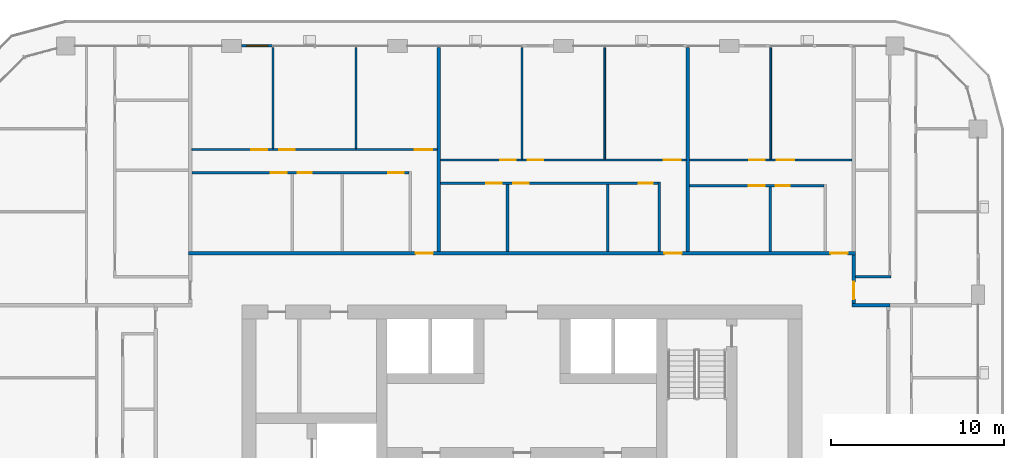
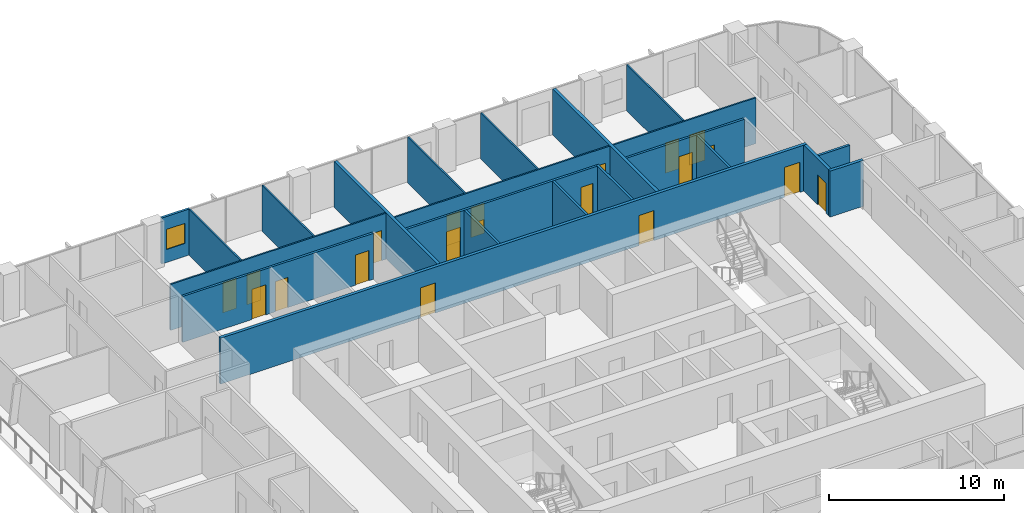
# One storey, part 14 of 22: 22 walls, 20 doors, 1 window, 21 openings.
"""IFC4 building model written with IfcOpenShell, lengths in metres."""

from ifc_helpers import new_model, si_unit, direction, frame, frame_2d, origin, place, context, subcontext, project, spatial, rectangle, extrude, material, layer, layer_set, type_object, element, fill, save


model = new_model("IFC4")

# Units and contexts
model_context = context("Model", 3, precision=1e-05, world=origin(), true_north=direction((0.0, 1.0)))
body_context = subcontext(model_context, "Body", "Model", "MODEL_VIEW")
ifc_project = project(units=[si_unit("LENGTHUNIT", "METRE"), si_unit("AREAUNIT", "SQUARE_METRE"), si_unit("VOLUMEUNIT", "CUBIC_METRE"), si_unit("PLANEANGLEUNIT", "RADIAN"), si_unit("MASSUNIT", "GRAM", prefix="KILO")], contexts=[model_context])

# Site, building, storey
site_placement = place(None, origin())
site = spatial("IfcSite", under=ifc_project, at=site_placement, CompositionType="ELEMENT")
building_placement = place(site_placement, origin())
building = spatial("IfcBuilding", under=site, at=building_placement, Name="Madar Terraces", CompositionType="ELEMENT")
storey_placement = place(building_placement, frame((0.0, 0.0, 122.60009765625)))
storey = spatial("IfcBuildingStorey", under=building, at=storey_placement, Name="L31", CompositionType="ELEMENT", Elevation=122.60009765625)

# Wall, opening, window
ifc_material_1 = material(Name="Aluminium composite panel, black, over insulated backing", Category="aluminium")
ifc_layer_1 = layer(ifc_material_1, 0.14990234375)
ifc_layer_set_1 = layer_set([ifc_layer_1], Name="Facade bay panel 150")
wall_type_1 = type_object("IfcWallType", Name="Facade bay panel 150", PredefinedType="SOLIDWALL", material=ifc_layer_set_1)
wall_1_placement = place(storey_placement, frame((16.800048828125, 52.800048828125, 0.0), z_axis=(0.0, 0.0, 1.0), x_axis=(-1.0, 0.0, 0.0)))
wall_1 = element("IfcWall", 1, at=wall_1_placement, inside=storey, type_object=wall_type_1, Name="Facade bay panel", PredefinedType="SOLIDWALL", context=body_context, shape_type="SweptSolid", body=[
    extrude(rectangle(XDim=1.824951171875, YDim=0.14990234375, at=frame_2d((0.91259765625, 0.0))), origin(), (0.0, 0.0, 1.0), 3.199951171875),
])
opening_1_placement = place(wall_1_placement, frame((0.3125, 0.0, 0.89990234375)))
opening_1 = element("IfcOpeningElement", 2, at=opening_1_placement, cuts=wall_1, Name="Opening W1", PredefinedType="OPENING", context=body_context, shape_type="SweptSolid", body=[
    extrude(rectangle(XDim=1.199951171875, YDim=1.39990234375, at=frame_2d((0.60009765625, 0.699951171875))), frame((0.0, 0.0849609375, 0.0), z_axis=(0.0, -1.0, 0.0), x_axis=(1.0, 0.0, 0.0)), (0.0, 0.0, 1.0), 0.169921875),
])
ifc_material_2 = material(Name="Glass, clear, with black aluminium frame", Category="aluminium")
window_type = type_object("IfcWindowType", Name="Vent window 1200 x 1400", PartitioningType="SINGLE_PANEL", PredefinedType="WINDOW", material=ifc_material_2)
window_placement = place(opening_1_placement, origin())
window = element("IfcWindow", 3, at=window_placement, inside=storey, type_object=window_type, Name="Operable vent window", OverallHeight=1.39990234375, OverallWidth=1.199951171875, PartitioningType="SINGLE_PANEL", PredefinedType="WINDOW", context=body_context, shape_type="SweptSolid", body=[
    extrude(rectangle(XDim=1.199951171875, YDim=1.39990234375, at=frame_2d((0.60009765625, 0.699951171875))), frame((0.0, 0.030029296875, 0.0), z_axis=(0.0, -1.0, 0.0), x_axis=(1.0, 0.0, 0.0)), (0.0, 0.0, 1.0), 0.06005859375),
])
fill(opening_1, window)

# Wall
ifc_material_3 = material(Name="Gypsum board on steel studs", Category="steel")
ifc_layer_2 = layer(ifc_material_3, 0.10009765625)
ifc_layer_set_2 = layer_set([ifc_layer_2], Name="Flat partition 100")
wall_type_2 = type_object("IfcWallType", Name="Flat partition 100", PredefinedType="PARTITIONING", material=ifc_layer_set_2)
wall_2_placement = place(storey_placement, frame((45.60009765625, 46.25, 0.0), z_axis=(0.0, 0.0, 1.0), x_axis=(0.0, 1.0, 0.0)))
element("IfcWall", 4, at=wall_2_placement, inside=storey, type_object=wall_type_2, Name="Flat partition 100", PredefinedType="PARTITIONING", context=body_context, shape_type="SweptSolid", body=[
    extrude(rectangle(XDim=6.449951171875, YDim=0.10009765625, at=frame_2d((3.22509765625, 0.0))), origin(), (0.0, 0.0, 1.0), 3.199951171875),
])

# Wall, openings, doors
wall_3_placement = place(storey_placement, frame((40.89990234375, 46.199951171875, 0.0), z_axis=(0.0, 0.0, 1.0), x_axis=(1.0, 0.0, 0.0)))
wall_3 = element("IfcWall", 5, at=wall_3_placement, inside=storey, type_object=wall_type_2, Name="Flat partition 100", PredefinedType="PARTITIONING", context=body_context, shape_type="SweptSolid", body=[
    extrude(rectangle(XDim=9.400146484375, YDim=0.10009765625, at=frame_2d((4.7001953125, 0.0))), origin(), (0.0, 0.0, 1.0), 3.199951171875),
])
opening_2_placement = place(wall_3_placement, frame((5.050048828125, 0.0, 0.0)))
opening_2 = element("IfcOpeningElement", 6, at=opening_2_placement, cuts=wall_3, Name="Opening D3", PredefinedType="OPENING", context=body_context, shape_type="SweptSolid", body=[
    extrude(rectangle(XDim=1.0, YDim=2.10009765625, at=frame_2d((0.5, 1.050048828125))), frame((0.0, 0.06005859375, 0.0), z_axis=(0.0, -1.0, 0.0), x_axis=(1.0, 0.0, 0.0)), (0.0, 0.0, 1.0), 0.1201171875),
])
opening_3_placement = place(wall_3_placement, frame((3.449951171875, 0.0, 0.0)))
opening_3 = element("IfcOpeningElement", 7, at=opening_3_placement, cuts=wall_3, Name="Opening D2", PredefinedType="OPENING", context=body_context, shape_type="SweptSolid", body=[
    extrude(rectangle(XDim=0.89990234375, YDim=2.10009765625, at=frame_2d((0.449951171875, 1.050048828125))), frame((0.0, 0.06005859375, 0.0), z_axis=(0.0, -1.0, 0.0), x_axis=(1.0, 0.0, 0.0)), (0.0, 0.0, 1.0), 0.1201171875),
])
ifc_material_4 = material(Name="Timber door leaf", Category="wood")
door_type_1 = type_object("IfcDoorType", Name="Flat living room door 1000", OperationType="NOTDEFINED", PredefinedType="DOOR", material=ifc_material_4)
door_1_placement = place(opening_2_placement, origin())
door_1 = element("IfcDoor", 8, at=door_1_placement, inside=storey, type_object=door_type_1, Name="Flat living room door 1000", OperationType="SINGLE_SWING_LEFT", OverallHeight=2.10009765625, OverallWidth=1.0, PredefinedType="DOOR", context=body_context, shape_type="SweptSolid", body=[
    extrude(rectangle(XDim=1.0, YDim=2.10009765625, at=frame_2d((0.5, 1.050048828125))), frame((0.0, 0.02490234375, 0.0), z_axis=(0.0, -1.0, 0.0), x_axis=(1.0, 0.0, 0.0)), (0.0, 0.0, 1.0), 0.050048828125),
])
fill(opening_2, door_1)
ifc_material_5 = material(Name="Timber door leaf", Category="wood")
door_type_2 = type_object("IfcDoorType", Name="Flat room door 900", OperationType="NOTDEFINED", PredefinedType="DOOR", material=ifc_material_5)
door_2_placement = place(opening_3_placement, origin())
door_2 = element("IfcDoor", 9, at=door_2_placement, inside=storey, type_object=door_type_2, Name="Flat room door 900", OperationType="SINGLE_SWING_RIGHT", OverallHeight=2.10009765625, OverallWidth=0.89990234375, PredefinedType="DOOR", context=body_context, shape_type="SweptSolid", body=[
    extrude(rectangle(XDim=0.89990234375, YDim=2.10009765625, at=frame_2d((0.449951171875, 1.050048828125))), frame((0.0, 0.02490234375, 0.0), z_axis=(0.0, -1.0, 0.0), x_axis=(1.0, 0.0, 0.0)), (0.0, 0.0, 1.0), 0.050048828125),
])
fill(opening_3, door_2)

# Walls
for number, where, z_axis, x_axis, name in (
    (10, (36.0, 46.25, 0.0), (0.0, 0.0, 1.0), (0.0, 1.0, 0.0), "Flat partition 100"),
    (11, (31.199951171875, 46.25, 0.0), (0.0, 0.0, 1.0), (0.0, 1.0, 0.0), "Flat partition 100"),
):
    element("IfcWall", number, at=place(storey_placement, frame(where, z_axis=z_axis, x_axis=x_axis)), inside=storey, type_object=wall_type_2, Name=name, PredefinedType="PARTITIONING", context=body_context, shape_type="SweptSolid", body=[
        extrude(rectangle(XDim=6.449951171875, YDim=0.10009765625, at=frame_2d((3.22509765625, 0.0))), origin(), (0.0, 0.0, 1.0), 3.199951171875),
    ])

# Wall, openings, doors
wall_4_placement = place(storey_placement, frame((26.5, 46.199951171875, 0.0), z_axis=(0.0, 0.0, 1.0), x_axis=(1.0, 0.0, 0.0)))
wall_4 = element("IfcWall", 12, at=wall_4_placement, inside=storey, type_object=wall_type_2, Name="Flat partition 100", PredefinedType="PARTITIONING", context=body_context, shape_type="SweptSolid", body=[
    extrude(rectangle(XDim=14.199951171875, YDim=0.10009765625, at=frame_2d((7.10009765625, 0.0))), origin(), (0.0, 0.0, 1.0), 3.199951171875),
])
opening_4_placement = place(wall_4_placement, frame((12.89990234375, 0.0, 0.0)))
opening_4 = element("IfcOpeningElement", 13, at=opening_4_placement, cuts=wall_4, Name="Opening D3", PredefinedType="OPENING", context=body_context, shape_type="SweptSolid", body=[
    extrude(rectangle(XDim=1.0, YDim=2.10009765625, at=frame_2d((0.5, 1.050048828125))), frame((0.0, 0.06005859375, 0.0), z_axis=(0.0, -1.0, 0.0), x_axis=(1.0, 0.0, 0.0)), (0.0, 0.0, 1.0), 0.1201171875),
])
opening_5_placement = place(wall_4_placement, frame((5.050048828125, 0.0, 0.0)))
opening_5 = element("IfcOpeningElement", 14, at=opening_5_placement, cuts=wall_4, Name="Opening D2", PredefinedType="OPENING", context=body_context, shape_type="SweptSolid", body=[
    extrude(rectangle(XDim=0.89990234375, YDim=2.10009765625, at=frame_2d((0.449951171875, 1.050048828125))), frame((0.0, 0.06005859375, 0.0), z_axis=(0.0, -1.0, 0.0), x_axis=(1.0, 0.0, 0.0)), (0.0, 0.0, 1.0), 0.1201171875),
])
opening_6_placement = place(wall_4_placement, frame((3.449951171875, 0.0, 0.0)))
opening_6 = element("IfcOpeningElement", 15, at=opening_6_placement, cuts=wall_4, Name="Opening D2", PredefinedType="OPENING", context=body_context, shape_type="SweptSolid", body=[
    extrude(rectangle(XDim=0.89990234375, YDim=2.10009765625, at=frame_2d((0.449951171875, 1.050048828125))), frame((0.0, 0.06005859375, 0.0), z_axis=(0.0, -1.0, 0.0), x_axis=(1.0, 0.0, 0.0)), (0.0, 0.0, 1.0), 0.1201171875),
])
door_3_placement = place(opening_4_placement, origin())
door_3 = element("IfcDoor", 16, at=door_3_placement, inside=storey, type_object=door_type_1, Name="Flat living room door 1000", OperationType="SINGLE_SWING_RIGHT", OverallHeight=2.10009765625, OverallWidth=1.0, PredefinedType="DOOR", context=body_context, shape_type="SweptSolid", body=[
    extrude(rectangle(XDim=1.0, YDim=2.10009765625, at=frame_2d((0.5, 1.050048828125))), frame((0.0, 0.02490234375, 0.0), z_axis=(0.0, -1.0, 0.0), x_axis=(1.0, 0.0, 0.0)), (0.0, 0.0, 1.0), 0.050048828125),
])
fill(opening_4, door_3)
door_4_placement = place(opening_5_placement, origin())
door_4 = element("IfcDoor", 17, at=door_4_placement, inside=storey, type_object=door_type_2, Name="Flat room door 900", OperationType="SINGLE_SWING_LEFT", OverallHeight=2.10009765625, OverallWidth=0.89990234375, PredefinedType="DOOR", context=body_context, shape_type="SweptSolid", body=[
    extrude(rectangle(XDim=0.89990234375, YDim=2.10009765625, at=frame_2d((0.449951171875, 1.050048828125))), frame((0.0, 0.02490234375, 0.0), z_axis=(0.0, -1.0, 0.0), x_axis=(1.0, 0.0, 0.0)), (0.0, 0.0, 1.0), 0.050048828125),
])
fill(opening_5, door_4)
door_5_placement = place(opening_6_placement, origin())
door_5 = element("IfcDoor", 18, at=door_5_placement, inside=storey, type_object=door_type_2, Name="Flat room door 900", OperationType="SINGLE_SWING_RIGHT", OverallHeight=2.10009765625, OverallWidth=0.89990234375, PredefinedType="DOOR", context=body_context, shape_type="SweptSolid", body=[
    extrude(rectangle(XDim=0.89990234375, YDim=2.10009765625, at=frame_2d((0.449951171875, 1.050048828125))), frame((0.0, 0.02490234375, 0.0), z_axis=(0.0, -1.0, 0.0), x_axis=(1.0, 0.0, 0.0)), (0.0, 0.0, 1.0), 0.050048828125),
])
fill(opening_6, door_5)

# Walls
for number, where, z_axis, x_axis, name in (
    (19, (21.60009765625, 46.85009765625, 0.0), (0.0, 0.0, 1.0), (0.0, 1.0, 0.0), "Flat partition 100"),
    (20, (16.800048828125, 46.85009765625, 0.0), (0.0, 0.0, 1.0), (0.0, 1.0, 0.0), "Flat partition 100"),
):
    element("IfcWall", number, at=place(storey_placement, frame(where, z_axis=z_axis, x_axis=x_axis)), inside=storey, type_object=wall_type_2, Name=name, PredefinedType="PARTITIONING", context=body_context, shape_type="SweptSolid", body=[
        extrude(rectangle(XDim=5.849853515625, YDim=0.10009765625, at=frame_2d((2.9248046875, 0.0))), origin(), (0.0, 0.0, 1.0), 3.199951171875),
    ])

# Wall, openings, doors
wall_5_placement = place(storey_placement, frame((12.10009765625, 46.800048828125, 0.0), z_axis=(0.0, 0.0, 1.0), x_axis=(1.0, 0.0, 0.0)))
wall_5 = element("IfcWall", 21, at=wall_5_placement, inside=storey, type_object=wall_type_2, Name="Flat partition 100", PredefinedType="PARTITIONING", context=body_context, shape_type="SweptSolid", body=[
    extrude(rectangle(XDim=14.199951171875, YDim=0.10009765625, at=frame_2d((7.10009765625, 0.0))), origin(), (0.0, 0.0, 1.0), 3.199951171875),
])
opening_7_placement = place(wall_5_placement, frame((12.89990234375, 0.0, 0.0)))
opening_7 = element("IfcOpeningElement", 22, at=opening_7_placement, cuts=wall_5, Name="Opening D3", PredefinedType="OPENING", context=body_context, shape_type="SweptSolid", body=[
    extrude(rectangle(XDim=1.0, YDim=2.10009765625, at=frame_2d((0.5, 1.050048828125))), frame((0.0, 0.06005859375, 0.0), z_axis=(0.0, -1.0, 0.0), x_axis=(1.0, 0.0, 0.0)), (0.0, 0.0, 1.0), 0.1201171875),
])
opening_8_placement = place(wall_5_placement, frame((5.050048828125, 0.0, 0.0)))
opening_8 = element("IfcOpeningElement", 23, at=opening_8_placement, cuts=wall_5, Name="Opening D2", PredefinedType="OPENING", context=body_context, shape_type="SweptSolid", body=[
    extrude(rectangle(XDim=0.89990234375, YDim=2.10009765625, at=frame_2d((0.449951171875, 1.050048828125))), frame((0.0, 0.06005859375, 0.0), z_axis=(0.0, -1.0, 0.0), x_axis=(1.0, 0.0, 0.0)), (0.0, 0.0, 1.0), 0.1201171875),
])
opening_9_placement = place(wall_5_placement, frame((3.449951171875, 0.0, 0.0)))
opening_9 = element("IfcOpeningElement", 24, at=opening_9_placement, cuts=wall_5, Name="Opening D2", PredefinedType="OPENING", context=body_context, shape_type="SweptSolid", body=[
    extrude(rectangle(XDim=0.89990234375, YDim=2.10009765625, at=frame_2d((0.449951171875, 1.050048828125))), frame((0.0, 0.06005859375, 0.0), z_axis=(0.0, -1.0, 0.0), x_axis=(1.0, 0.0, 0.0)), (0.0, 0.0, 1.0), 0.1201171875),
])
door_6_placement = place(opening_7_placement, origin())
door_6 = element("IfcDoor", 25, at=door_6_placement, inside=storey, type_object=door_type_1, Name="Flat living room door 1000", OperationType="SINGLE_SWING_RIGHT", OverallHeight=2.10009765625, OverallWidth=1.0, PredefinedType="DOOR", context=body_context, shape_type="SweptSolid", body=[
    extrude(rectangle(XDim=1.0, YDim=2.10009765625, at=frame_2d((0.5, 1.050048828125))), frame((0.0, 0.02490234375, 0.0), z_axis=(0.0, -1.0, 0.0), x_axis=(1.0, 0.0, 0.0)), (0.0, 0.0, 1.0), 0.050048828125),
])
fill(opening_7, door_6)
door_7_placement = place(opening_8_placement, origin())
door_7 = element("IfcDoor", 26, at=door_7_placement, inside=storey, type_object=door_type_2, Name="Flat room door 900", OperationType="SINGLE_SWING_LEFT", OverallHeight=2.10009765625, OverallWidth=0.89990234375, PredefinedType="DOOR", context=body_context, shape_type="SweptSolid", body=[
    extrude(rectangle(XDim=0.89990234375, YDim=2.10009765625, at=frame_2d((0.449951171875, 1.050048828125))), frame((0.0, 0.02490234375, 0.0), z_axis=(0.0, -1.0, 0.0), x_axis=(1.0, 0.0, 0.0)), (0.0, 0.0, 1.0), 0.050048828125),
])
fill(opening_8, door_7)
door_8_placement = place(opening_9_placement, origin())
door_8 = element("IfcDoor", 27, at=door_8_placement, inside=storey, type_object=door_type_2, Name="Flat room door 900", OperationType="SINGLE_SWING_RIGHT", OverallHeight=2.10009765625, OverallWidth=0.89990234375, PredefinedType="DOOR", context=body_context, shape_type="SweptSolid", body=[
    extrude(rectangle(XDim=0.89990234375, YDim=2.10009765625, at=frame_2d((0.449951171875, 1.050048828125))), frame((0.0, 0.02490234375, 0.0), z_axis=(0.0, -1.0, 0.0), x_axis=(1.0, 0.0, 0.0)), (0.0, 0.0, 1.0), 0.050048828125),
])
fill(opening_9, door_8)

# Wall
ifc_material_6 = material(Name="Lightweight blockwork", Category="masonry")
ifc_layer_3 = layer(ifc_material_6, 0.199951171875)
ifc_layer_set_3 = layer_set([ifc_layer_3], Name="Flat party and entrance wall 200")
wall_type_3 = type_object("IfcWallType", Name="Flat party and entrance wall 200", PredefinedType="PARTITIONING", material=ifc_layer_set_3)
wall_6_placement = place(storey_placement, frame((52.5, 37.800048828125, 0.0), z_axis=(0.0, 0.0, 1.0), x_axis=(-1.0, 0.0, 0.0)))
element("IfcWall", 28, at=wall_6_placement, inside=storey, type_object=wall_type_3, Name="Flat party and entrance wall 200", PredefinedType="PARTITIONING", context=body_context, shape_type="SweptSolid", body=[
    extrude(rectangle(XDim=2.199951171875, YDim=0.199951171875, at=frame_2d((1.10009765625, 0.0))), origin(), (0.0, 0.0, 1.0), 3.199951171875),
])

# Wall, opening, door
wall_7_placement = place(storey_placement, frame((50.39990234375, 40.699951171875, 0.0), z_axis=(0.0, 0.0, 1.0), x_axis=(0.0, -1.0, 0.0)))
wall_7 = element("IfcWall", 29, at=wall_7_placement, inside=storey, type_object=wall_type_3, Name="Flat party and entrance wall 200", PredefinedType="PARTITIONING", context=body_context, shape_type="SweptSolid", body=[
    extrude(rectangle(XDim=2.800048828125, YDim=0.199951171875, at=frame_2d((1.39990234375, 0.0))), origin(), (0.0, 0.0, 1.0), 3.199951171875),
])
opening_10_placement = place(wall_7_placement, frame((1.550048828125, 0.0, 0.0)))
opening_10 = element("IfcOpeningElement", 30, at=opening_10_placement, cuts=wall_7, Name="Opening D1", PredefinedType="OPENING", context=body_context, shape_type="SweptSolid", body=[
    extrude(rectangle(XDim=1.0, YDim=2.10009765625, at=frame_2d((0.5, 1.050048828125))), frame((0.0, 0.10986328125, 0.0), z_axis=(0.0, -1.0, 0.0), x_axis=(1.0, 0.0, 0.0)), (0.0, 0.0, 1.0), 0.219970703125),
])
ifc_material_7 = material(Name="Timber fire door leaf", Category="wood")
door_type_3 = type_object("IfcDoorType", Name="Flat entrance door 1000 FD30S", OperationType="NOTDEFINED", PredefinedType="DOOR", material=ifc_material_7)
door_9_placement = place(opening_10_placement, origin())
door_9 = element("IfcDoor", 31, at=door_9_placement, inside=storey, type_object=door_type_3, Name="Flat entrance door 1000 FD30S", OperationType="SINGLE_SWING_RIGHT", OverallHeight=2.10009765625, OverallWidth=1.0, PredefinedType="DOOR", context=body_context, shape_type="SweptSolid", body=[
    extrude(rectangle(XDim=1.0, YDim=2.10009765625, at=frame_2d((0.5, 1.050048828125))), frame((0.0, 0.02490234375, 0.0), z_axis=(0.0, -1.0, 0.0), x_axis=(1.0, 0.0, 0.0)), (0.0, 0.0, 1.0), 0.050048828125),
])
fill(opening_10, door_9)

# Wall, openings, doors
wall_8_placement = place(storey_placement, frame((11.89990234375, 40.800048828125, 0.0), z_axis=(0.0, 0.0, 1.0), x_axis=(1.0, 0.0, 0.0)))
wall_8 = element("IfcWall", 32, at=wall_8_placement, inside=storey, type_object=wall_type_3, Name="Flat party and entrance wall 200", PredefinedType="PARTITIONING", context=body_context, shape_type="SweptSolid", body=[
    extrude(rectangle(XDim=38.60009765625, YDim=0.199951171875, at=frame_2d((19.300048828125, 0.0))), origin(), (0.0, 0.0, 1.0), 3.199951171875),
])
opening_11_placement = place(wall_8_placement, frame((37.14990234375, 0.0, 0.0)))
opening_11 = element("IfcOpeningElement", 33, at=opening_11_placement, cuts=wall_8, Name="Opening D1", PredefinedType="OPENING", context=body_context, shape_type="SweptSolid", body=[
    extrude(rectangle(XDim=1.0, YDim=2.10009765625, at=frame_2d((0.5, 1.050048828125))), frame((0.0, 0.10986328125, 0.0), z_axis=(0.0, -1.0, 0.0), x_axis=(1.0, 0.0, 0.0)), (0.0, 0.0, 1.0), 0.219970703125),
])
opening_12_placement = place(wall_8_placement, frame((27.550048828125, 0.0, 0.0)))
opening_12 = element("IfcOpeningElement", 34, at=opening_12_placement, cuts=wall_8, Name="Opening D1", PredefinedType="OPENING", context=body_context, shape_type="SweptSolid", body=[
    extrude(rectangle(XDim=1.0, YDim=2.10009765625, at=frame_2d((0.5, 1.050048828125))), frame((0.0, 0.10986328125, 0.0), z_axis=(0.0, -1.0, 0.0), x_axis=(1.0, 0.0, 0.0)), (0.0, 0.0, 1.0), 0.219970703125),
])
opening_13_placement = place(wall_8_placement, frame((13.14990234375, 0.0, 0.0)))
opening_13 = element("IfcOpeningElement", 35, at=opening_13_placement, cuts=wall_8, Name="Opening D1", PredefinedType="OPENING", context=body_context, shape_type="SweptSolid", body=[
    extrude(rectangle(XDim=1.0, YDim=2.10009765625, at=frame_2d((0.5, 1.050048828125))), frame((0.0, 0.10986328125, 0.0), z_axis=(0.0, -1.0, 0.0), x_axis=(1.0, 0.0, 0.0)), (0.0, 0.0, 1.0), 0.219970703125),
])
door_10_placement = place(opening_11_placement, origin())
door_10 = element("IfcDoor", 36, at=door_10_placement, inside=storey, type_object=door_type_3, Name="Flat entrance door 1000 FD30S", OperationType="SINGLE_SWING_RIGHT", OverallHeight=2.10009765625, OverallWidth=1.0, PredefinedType="DOOR", context=body_context, shape_type="SweptSolid", body=[
    extrude(rectangle(XDim=1.0, YDim=2.10009765625, at=frame_2d((0.5, 1.050048828125))), frame((0.0, 0.02490234375, 0.0), z_axis=(0.0, -1.0, 0.0), x_axis=(1.0, 0.0, 0.0)), (0.0, 0.0, 1.0), 0.050048828125),
])
fill(opening_11, door_10)
door_11_placement = place(opening_12_placement, origin())
door_11 = element("IfcDoor", 37, at=door_11_placement, inside=storey, type_object=door_type_3, Name="Flat entrance door 1000 FD30S", OperationType="SINGLE_SWING_RIGHT", OverallHeight=2.10009765625, OverallWidth=1.0, PredefinedType="DOOR", context=body_context, shape_type="SweptSolid", body=[
    extrude(rectangle(XDim=1.0, YDim=2.10009765625, at=frame_2d((0.5, 1.050048828125))), frame((0.0, 0.02490234375, 0.0), z_axis=(0.0, -1.0, 0.0), x_axis=(1.0, 0.0, 0.0)), (0.0, 0.0, 1.0), 0.050048828125),
])
fill(opening_12, door_11)
door_12_placement = place(opening_13_placement, origin())
door_12 = element("IfcDoor", 38, at=door_12_placement, inside=storey, type_object=door_type_3, Name="Flat entrance door 1000 FD30S", OperationType="SINGLE_SWING_RIGHT", OverallHeight=2.10009765625, OverallWidth=1.0, PredefinedType="DOOR", context=body_context, shape_type="SweptSolid", body=[
    extrude(rectangle(XDim=1.0, YDim=2.10009765625, at=frame_2d((0.5, 1.050048828125))), frame((0.0, 0.02490234375, 0.0), z_axis=(0.0, -1.0, 0.0), x_axis=(1.0, 0.0, 0.0)), (0.0, 0.0, 1.0), 0.050048828125),
])
fill(opening_13, door_12)

# Walls
for number, where, z_axis, x_axis, name in (
    (39, (40.800048828125, 52.699951171875, 0.0), (0.0, 0.0, 1.0), (0.0, -1.0, 0.0), "Flat party and entrance wall 200"),
    (40, (26.39990234375, 52.699951171875, 0.0), (0.0, 0.0, 1.0), (0.0, -1.0, 0.0), "Flat party and entrance wall 200"),
):
    element("IfcWall", number, at=place(storey_placement, frame(where, z_axis=z_axis, x_axis=x_axis)), inside=storey, type_object=wall_type_3, Name=name, PredefinedType="PARTITIONING", context=body_context, shape_type="SweptSolid", body=[
        extrude(rectangle(XDim=11.800048828125, YDim=0.199951171875, at=frame_2d((5.89990234375, 0.0))), origin(), (0.0, 0.0, 1.0), 3.199951171875),
    ])
ifc_material_8 = material(Name="Lightweight blockwork", Category="masonry")
ifc_layer_4 = layer(ifc_material_8, 0.14990234375)
ifc_layer_set_4 = layer_set([ifc_layer_4], Name="Flat wet-room partition 150")
wall_type_4 = type_object("IfcWallType", Name="Flat wet-room partition 150", PredefinedType="PARTITIONING", material=ifc_layer_set_4)
wall_9_placement = place(storey_placement, frame((50.5, 39.449951171875, 0.0), z_axis=(0.0, 0.0, 1.0), x_axis=(1.0, 0.0, 0.0)))
element("IfcWall", 41, at=wall_9_placement, inside=storey, type_object=wall_type_4, Name="Flat wet-room partition 150", PredefinedType="PARTITIONING", context=body_context, shape_type="SweptSolid", body=[
    extrude(rectangle(XDim=2.074951171875, YDim=0.14990234375, at=frame_2d((1.03759765625, 0.0))), origin(), (0.0, 0.0, 1.0), 3.199951171875),
])
wall_10_placement = place(storey_placement, frame((45.56494140625, 40.89990234375, 0.0), z_axis=(0.0, 0.0, 1.0), x_axis=(0.0, 1.0, 0.0)))
element("IfcWall", 42, at=wall_10_placement, inside=storey, type_object=wall_type_4, Name="Flat wet-room partition 150", PredefinedType="PARTITIONING", context=body_context, shape_type="SweptSolid", body=[
    extrude(rectangle(XDim=3.72509765625, YDim=0.14990234375, at=frame_2d((1.862548828125, 0.0))), origin(), (0.0, 0.0, 1.0), 3.199951171875),
])

# Wall, openings, doors
wall_11_placement = place(storey_placement, frame((48.675048828125, 44.699951171875, 0.0), z_axis=(0.0, 0.0, 1.0), x_axis=(-1.0, 0.0, 0.0)))
wall_11 = element("IfcWall", 43, at=wall_11_placement, inside=storey, type_object=wall_type_4, Name="Flat wet-room partition 150", PredefinedType="PARTITIONING", context=body_context, shape_type="SweptSolid", body=[
    extrude(rectangle(XDim=7.775146484375, YDim=0.14990234375, at=frame_2d((3.8876953125, 0.0))), origin(), (0.0, 0.0, 1.0), 3.199951171875),
])
opening_14_placement = place(wall_11_placement, frame((1.985107421875, 0.0, 0.0)))
opening_14 = element("IfcOpeningElement", 44, at=opening_14_placement, cuts=wall_11, Name="Opening D4", PredefinedType="OPENING", context=body_context, shape_type="SweptSolid", body=[
    extrude(rectangle(XDim=0.800048828125, YDim=2.10009765625, at=frame_2d((0.39990234375, 1.050048828125))), frame((0.0, 0.0849609375, 0.0), z_axis=(0.0, -1.0, 0.0), x_axis=(1.0, 0.0, 0.0)), (0.0, 0.0, 1.0), 0.169921875),
])
opening_15_placement = place(wall_11_placement, frame((3.43505859375, 0.0, 0.0)))
opening_15 = element("IfcOpeningElement", 45, at=opening_15_placement, cuts=wall_11, Name="Opening D2", PredefinedType="OPENING", context=body_context, shape_type="SweptSolid", body=[
    extrude(rectangle(XDim=0.89990234375, YDim=2.10009765625, at=frame_2d((0.449951171875, 1.050048828125))), frame((0.0, 0.0849609375, 0.0), z_axis=(0.0, -1.0, 0.0), x_axis=(1.0, 0.0, 0.0)), (0.0, 0.0, 1.0), 0.169921875),
])
ifc_material_9 = material(Name="Timber door leaf", Category="wood")
door_type_4 = type_object("IfcDoorType", Name="Flat bathroom door 800", OperationType="NOTDEFINED", PredefinedType="DOOR", material=ifc_material_9)
door_13_placement = place(opening_14_placement, origin())
door_13 = element("IfcDoor", 46, at=door_13_placement, inside=storey, type_object=door_type_4, Name="Flat bathroom door 800", OperationType="SINGLE_SWING_RIGHT", OverallHeight=2.10009765625, OverallWidth=0.800048828125, PredefinedType="DOOR", context=body_context, shape_type="SweptSolid", body=[
    extrude(rectangle(XDim=0.800048828125, YDim=2.10009765625, at=frame_2d((0.39990234375, 1.050048828125))), frame((0.0, 0.02490234375, 0.0), z_axis=(0.0, -1.0, 0.0), x_axis=(1.0, 0.0, 0.0)), (0.0, 0.0, 1.0), 0.050048828125),
])
fill(opening_14, door_13)
door_14_placement = place(opening_15_placement, origin())
door_14 = element("IfcDoor", 47, at=door_14_placement, inside=storey, type_object=door_type_2, Name="Flat room door 900", OperationType="SINGLE_SWING_LEFT", OverallHeight=2.10009765625, OverallWidth=0.89990234375, PredefinedType="DOOR", context=body_context, shape_type="SweptSolid", body=[
    extrude(rectangle(XDim=0.89990234375, YDim=2.10009765625, at=frame_2d((0.449951171875, 1.050048828125))), frame((0.0, 0.02490234375, 0.0), z_axis=(0.0, -1.0, 0.0), x_axis=(1.0, 0.0, 0.0)), (0.0, 0.0, 1.0), 0.050048828125),
])
fill(opening_15, door_14)

# Walls
for number, where, z_axis, x_axis, name in (
    (48, (36.173095703125, 40.89990234375, 0.0), (0.0, 0.0, 1.0), (0.0, 1.0, 0.0), "Flat wet-room partition 150"),
    (49, (30.369384765625, 40.89990234375, 0.0), (0.0, 0.0, 1.0), (0.0, 1.0, 0.0), "Flat wet-room partition 150"),
):
    element("IfcWall", number, at=place(storey_placement, frame(where, z_axis=z_axis, x_axis=x_axis)), inside=storey, type_object=wall_type_4, Name=name, PredefinedType="PARTITIONING", context=body_context, shape_type="SweptSolid", body=[
        extrude(rectangle(XDim=3.875, YDim=0.14990234375, at=frame_2d((1.9375, 0.0))), origin(), (0.0, 0.0, 1.0), 3.199951171875),
    ])
wall_12_placement = place(storey_placement, frame((39.14990234375, 40.89990234375, 0.0), z_axis=(0.0, 0.0, 1.0), x_axis=(0.0, 1.0, 0.0)))
element("IfcWall", 50, at=wall_12_placement, inside=storey, type_object=wall_type_4, Name="Flat wet-room partition 150", PredefinedType="PARTITIONING", context=body_context, shape_type="SweptSolid", body=[
    extrude(rectangle(XDim=4.025146484375, YDim=0.14990234375, at=frame_2d((2.0126953125, 0.0))), origin(), (0.0, 0.0, 1.0), 3.199951171875),
])

# Wall, openings, doors
wall_13_placement = place(storey_placement, frame((39.074951171875, 44.85009765625, 0.0), z_axis=(0.0, 0.0, 1.0), x_axis=(-1.0, 0.0, 0.0)))
wall_13 = element("IfcWall", 51, at=wall_13_placement, inside=storey, type_object=wall_type_4, Name="Flat wet-room partition 150", PredefinedType="PARTITIONING", context=body_context, shape_type="SweptSolid", body=[
    extrude(rectangle(XDim=12.574951171875, YDim=0.14990234375, at=frame_2d((6.28759765625, 0.0))), origin(), (0.0, 0.0, 1.0), 3.199951171875),
])
opening_16_placement = place(wall_13_placement, frame((0.300048828125, 0.0, 0.0)))
opening_16 = element("IfcOpeningElement", 52, at=opening_16_placement, cuts=wall_13, Name="Opening D4", PredefinedType="OPENING", context=body_context, shape_type="SweptSolid", body=[
    extrude(rectangle(XDim=0.800048828125, YDim=2.10009765625, at=frame_2d((0.39990234375, 1.050048828125))), frame((0.0, 0.0849609375, 0.0), z_axis=(0.0, -1.0, 0.0), x_axis=(1.0, 0.0, 0.0)), (0.0, 0.0, 1.0), 0.169921875),
])
opening_17_placement = place(wall_13_placement, frame((7.480712890625, 0.0, 0.0)))
opening_17 = element("IfcOpeningElement", 53, at=opening_17_placement, cuts=wall_13, Name="Opening D2", PredefinedType="OPENING", context=body_context, shape_type="SweptSolid", body=[
    extrude(rectangle(XDim=0.89990234375, YDim=2.10009765625, at=frame_2d((0.449951171875, 1.050048828125))), frame((0.0, 0.0849609375, 0.0), z_axis=(0.0, -1.0, 0.0), x_axis=(1.0, 0.0, 0.0)), (0.0, 0.0, 1.0), 0.169921875),
])
opening_18_placement = place(wall_13_placement, frame((9.03076171875, 0.0, 0.0)))
opening_18 = element("IfcOpeningElement", 54, at=opening_18_placement, cuts=wall_13, Name="Opening D5", PredefinedType="OPENING", context=body_context, shape_type="SweptSolid", body=[
    extrude(rectangle(XDim=0.89990234375, YDim=2.10009765625, at=frame_2d((0.449951171875, 1.050048828125))), frame((0.0, 0.0849609375, 0.0), z_axis=(0.0, -1.0, 0.0), x_axis=(1.0, 0.0, 0.0)), (0.0, 0.0, 1.0), 0.169921875),
])
ifc_material_10 = material(Name="Timber door leaf", Category="wood")
door_type_5 = type_object("IfcDoorType", Name="Flat accessible bathroom door 900", OperationType="NOTDEFINED", PredefinedType="DOOR", material=ifc_material_10)
door_15_placement = place(opening_18_placement, origin())
door_15 = element("IfcDoor", 55, at=door_15_placement, inside=storey, type_object=door_type_5, Name="Flat accessible bathroom door 900", OperationType="SINGLE_SWING_LEFT", OverallHeight=2.10009765625, OverallWidth=0.89990234375, PredefinedType="DOOR", context=body_context, shape_type="SweptSolid", body=[
    extrude(rectangle(XDim=0.89990234375, YDim=2.10009765625, at=frame_2d((0.449951171875, 1.050048828125))), frame((0.0, 0.02490234375, 0.0), z_axis=(0.0, -1.0, 0.0), x_axis=(1.0, 0.0, 0.0)), (0.0, 0.0, 1.0), 0.050048828125),
])
fill(opening_18, door_15)
door_16_placement = place(opening_16_placement, origin())
door_16 = element("IfcDoor", 56, at=door_16_placement, inside=storey, type_object=door_type_4, Name="Flat bathroom door 800", OperationType="SINGLE_SWING_LEFT", OverallHeight=2.10009765625, OverallWidth=0.800048828125, PredefinedType="DOOR", context=body_context, shape_type="SweptSolid", body=[
    extrude(rectangle(XDim=0.800048828125, YDim=2.10009765625, at=frame_2d((0.39990234375, 1.050048828125))), frame((0.0, 0.02490234375, 0.0), z_axis=(0.0, -1.0, 0.0), x_axis=(1.0, 0.0, 0.0)), (0.0, 0.0, 1.0), 0.050048828125),
])
fill(opening_16, door_16)
door_17_placement = place(opening_17_placement, origin())
door_17 = element("IfcDoor", 57, at=door_17_placement, inside=storey, type_object=door_type_2, Name="Flat room door 900", OperationType="SINGLE_SWING_RIGHT", OverallHeight=2.10009765625, OverallWidth=0.89990234375, PredefinedType="DOOR", context=body_context, shape_type="SweptSolid", body=[
    extrude(rectangle(XDim=0.89990234375, YDim=2.10009765625, at=frame_2d((0.449951171875, 1.050048828125))), frame((0.0, 0.02490234375, 0.0), z_axis=(0.0, -1.0, 0.0), x_axis=(1.0, 0.0, 0.0)), (0.0, 0.0, 1.0), 0.050048828125),
])
fill(opening_17, door_17)

wall_14_placement = place(storey_placement, frame((24.675048828125, 45.449951171875, 0.0), z_axis=(0.0, 0.0, 1.0), x_axis=(-1.0, 0.0, 0.0)))
wall_14 = element("IfcWall", 58, at=wall_14_placement, inside=storey, type_object=wall_type_4, Name="Flat wet-room partition 150", PredefinedType="PARTITIONING", context=body_context, shape_type="SweptSolid", body=[
    extrude(rectangle(XDim=12.574951171875, YDim=0.14990234375, at=frame_2d((6.28759765625, 0.0))), origin(), (0.0, 0.0, 1.0), 3.199951171875),
])
opening_19_placement = place(wall_14_placement, frame((0.300048828125, 0.0, 0.0)))
opening_19 = element("IfcOpeningElement", 59, at=opening_19_placement, cuts=wall_14, Name="Opening D5", PredefinedType="OPENING", context=body_context, shape_type="SweptSolid", body=[
    extrude(rectangle(XDim=0.89990234375, YDim=2.10009765625, at=frame_2d((0.449951171875, 1.050048828125))), frame((0.0, 0.0849609375, 0.0), z_axis=(0.0, -1.0, 0.0), x_axis=(1.0, 0.0, 0.0)), (0.0, 0.0, 1.0), 0.169921875),
])
opening_20_placement = place(wall_14_placement, frame((5.64599609375, 0.0, 0.0)))
opening_20 = element("IfcOpeningElement", 60, at=opening_20_placement, cuts=wall_14, Name="Opening D4", PredefinedType="OPENING", context=body_context, shape_type="SweptSolid", body=[
    extrude(rectangle(XDim=0.800048828125, YDim=2.10009765625, at=frame_2d((0.39990234375, 1.050048828125))), frame((0.0, 0.0849609375, 0.0), z_axis=(0.0, -1.0, 0.0), x_axis=(1.0, 0.0, 0.0)), (0.0, 0.0, 1.0), 0.169921875),
])
opening_21_placement = place(wall_14_placement, frame((7.09619140625, 0.0, 0.0)))
opening_21 = element("IfcOpeningElement", 61, at=opening_21_placement, cuts=wall_14, Name="Opening D2", PredefinedType="OPENING", context=body_context, shape_type="SweptSolid", body=[
    extrude(rectangle(XDim=0.89990234375, YDim=2.10009765625, at=frame_2d((0.449951171875, 1.050048828125))), frame((0.0, 0.0849609375, 0.0), z_axis=(0.0, -1.0, 0.0), x_axis=(1.0, 0.0, 0.0)), (0.0, 0.0, 1.0), 0.169921875),
])
door_18_placement = place(opening_19_placement, origin())
door_18 = element("IfcDoor", 62, at=door_18_placement, inside=storey, type_object=door_type_5, Name="Flat accessible bathroom door 900", OperationType="SINGLE_SWING_LEFT", OverallHeight=2.10009765625, OverallWidth=0.89990234375, PredefinedType="DOOR", context=body_context, shape_type="SweptSolid", body=[
    extrude(rectangle(XDim=0.89990234375, YDim=2.10009765625, at=frame_2d((0.449951171875, 1.050048828125))), frame((0.0, 0.02490234375, 0.0), z_axis=(0.0, -1.0, 0.0), x_axis=(1.0, 0.0, 0.0)), (0.0, 0.0, 1.0), 0.050048828125),
])
fill(opening_19, door_18)
door_19_placement = place(opening_20_placement, origin())
door_19 = element("IfcDoor", 63, at=door_19_placement, inside=storey, type_object=door_type_4, Name="Flat bathroom door 800", OperationType="SINGLE_SWING_RIGHT", OverallHeight=2.10009765625, OverallWidth=0.800048828125, PredefinedType="DOOR", context=body_context, shape_type="SweptSolid", body=[
    extrude(rectangle(XDim=0.800048828125, YDim=2.10009765625, at=frame_2d((0.39990234375, 1.050048828125))), frame((0.0, 0.02490234375, 0.0), z_axis=(0.0, -1.0, 0.0), x_axis=(1.0, 0.0, 0.0)), (0.0, 0.0, 1.0), 0.050048828125),
])
fill(opening_20, door_19)
door_20_placement = place(opening_21_placement, origin())
door_20 = element("IfcDoor", 64, at=door_20_placement, inside=storey, type_object=door_type_2, Name="Flat room door 900", OperationType="SINGLE_SWING_LEFT", OverallHeight=2.10009765625, OverallWidth=0.89990234375, PredefinedType="DOOR", context=body_context, shape_type="SweptSolid", body=[
    extrude(rectangle(XDim=0.89990234375, YDim=2.10009765625, at=frame_2d((0.449951171875, 1.050048828125))), frame((0.0, 0.02490234375, 0.0), z_axis=(0.0, -1.0, 0.0), x_axis=(1.0, 0.0, 0.0)), (0.0, 0.0, 1.0), 0.050048828125),
])
fill(opening_21, door_20)

save(model, "model.ifc")
